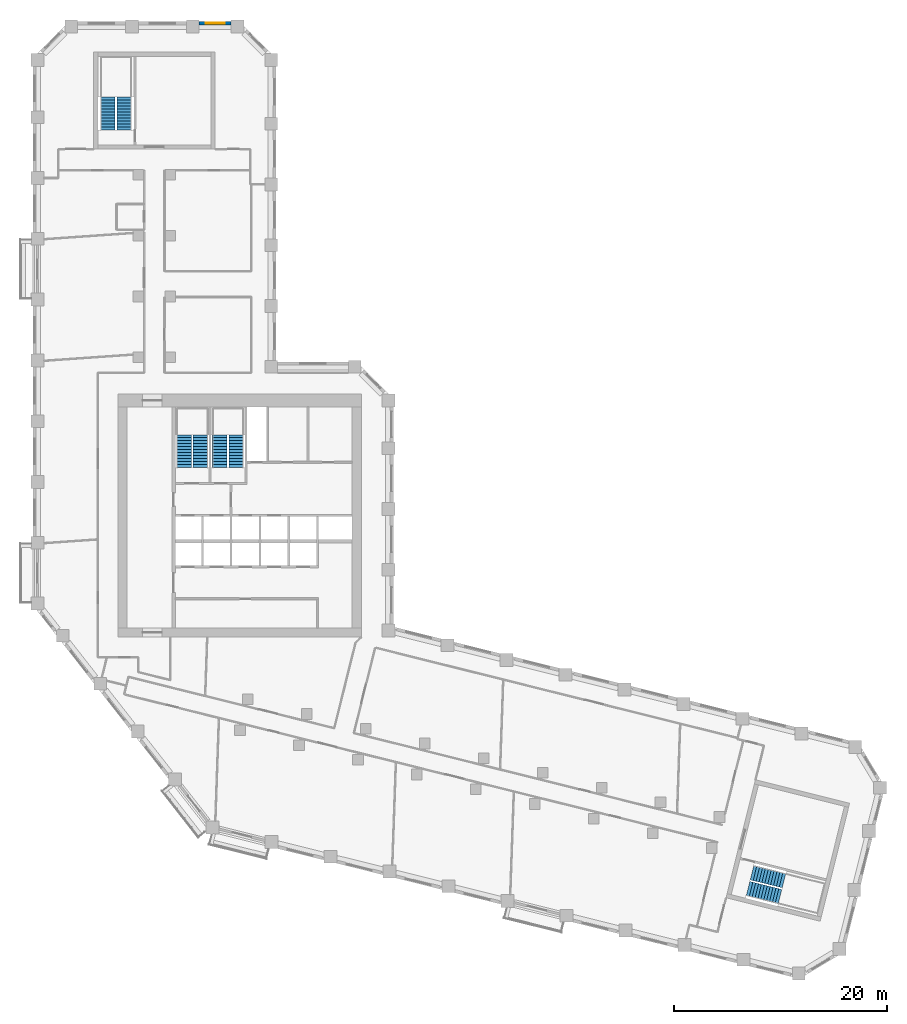
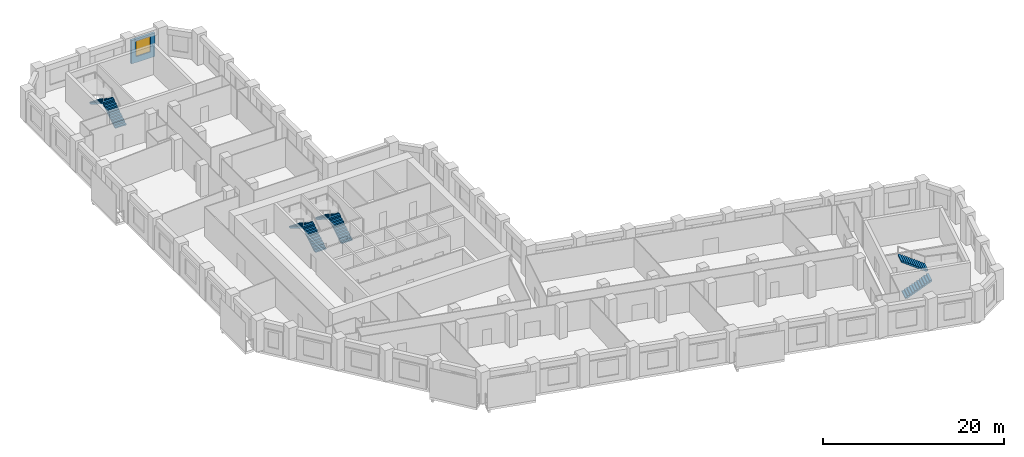
# One storey, part 9 of 10: 8 stair flights, 1 wall, 1 window, 1 opening, 4 elements without a shape of their own.
"""IFC4 building model written with IfcOpenShell, lengths in metres."""

import ifcopenshell
import ifcopenshell.guid

model = None  # the IFC model being written
_history = None  # IfcOwnerHistory: only IFC2X3 demands one
_inside = {}  # id of a spatial element -> (the spatial element, [elements in it])
_under = {}  # id of a project, library or spatial element -> (it, [spatial elements below it])
_declared = {}  # id of a project -> (the project, [libraries it declares])
_typed = {}  # id of a type object -> (the type object, [elements of that type])
_made_of = {}  # id of a material, layer set ... -> (it, [elements and type objects made of it])


def new_model(schema):
    """Start an empty IFC model of exactly this schema.

    Asked for "IFC4X3", IfcOpenShell would pick the latest addendum, in which some entities
    have other attributes; the version numbers below select the first issue.
    IFC2X3 requires an IfcOwnerHistory on every rooted entity: one is made here for all.
    """
    global model, _history
    if schema == "IFC4X3":
        model = ifcopenshell.file(schema_version=(4, 3, 0, 0))
    else:
        model = ifcopenshell.file(schema=schema)
    _inside.clear()
    _under.clear()
    _declared.clear()
    _typed.clear()
    _made_of.clear()
    _history = None
    if model.schema == "IFC2X3":
        org = make("IfcOrganization", Name="unknown")
        user = make(
            "IfcPersonAndOrganization",
            ThePerson=make("IfcPerson", FamilyName="unknown"),
            TheOrganization=org,
        )
        app = make(
            "IfcApplication",
            ApplicationDeveloper=org,
            Version="unknown",
            ApplicationFullName="unknown",
            ApplicationIdentifier="unknown",
        )
        _history = make(
            "IfcOwnerHistory",
            OwningUser=user,
            OwningApplication=app,
            ChangeAction="ADDED",
            CreationDate=0,
        )
    return model


def make(cls, **values):
    """One entity of the class cls with the attributes given. An attribute that is None is left unset."""
    return model.create_entity(
        cls, **{name: value for name, value in values.items() if value is not None}
    )


def rooted(cls, **values):
    """An entity with a GlobalId (a new one), such as an element, a storey or a relation."""
    return make(cls, GlobalId=ifcopenshell.guid.new(), OwnerHistory=_history, **values)


def si_unit(unit_type, name, prefix=None):
    """IfcSIUnit, for example si_unit("LENGTHUNIT", "METRE", prefix="MILLI")."""
    return make("IfcSIUnit", UnitType=unit_type, Prefix=prefix, Name=name)


def assignment(units):
    """IfcUnitAssignment: the units of a project."""
    return None if units is None else make("IfcUnitAssignment", Units=units)


def point(xyz):
    """IfcCartesianPoint."""
    return None if xyz is None else make("IfcCartesianPoint", Coordinates=xyz)


def direction(xyz):
    """IfcDirection."""
    return None if xyz is None else make("IfcDirection", DirectionRatios=xyz)


def frame(location, z_axis=None, x_axis=None):
    """IfcAxis2Placement3D, a coordinate frame: its origin and axes. An axis left out is left unset."""
    return make(
        "IfcAxis2Placement3D",
        Location=point(location),
        Axis=direction(z_axis),
        RefDirection=direction(x_axis),
    )


def frame_2d(location, x_axis=None):
    """IfcAxis2Placement2D, a coordinate frame in the plane: its origin and x axis."""
    return make(
        "IfcAxis2Placement2D", Location=point(location), RefDirection=direction(x_axis)
    )


def origin():
    """The frame at (0, 0, 0) with its axes left unset."""
    return frame((0.0, 0.0, 0.0))


def place(relative_to, where):
    """IfcLocalPlacement: puts the frame where relative to a parent placement (None: the world)."""
    return make(
        "IfcLocalPlacement", PlacementRelTo=relative_to, RelativePlacement=where
    )


def context(
    kind, dimensions, precision=None, world=None, true_north=None, identifier=None
):
    """IfcGeometricRepresentationContext, for example the 3D "Model" context."""
    return make(
        "IfcGeometricRepresentationContext",
        ContextIdentifier=identifier,
        ContextType=kind,
        CoordinateSpaceDimension=dimensions,
        Precision=precision,
        WorldCoordinateSystem=world,
        TrueNorth=true_north,
    )


def subcontext(parent, identifier, kind, view, scale=None):
    """IfcGeometricRepresentationSubContext, for example "Body" below "Model"."""
    return make(
        "IfcGeometricRepresentationSubContext",
        ContextIdentifier=identifier,
        ContextType=kind,
        ParentContext=parent,
        TargetScale=scale,
        TargetView=view,
    )


def project(units=None, contexts=None):
    """IfcProject with its units and contexts."""
    return rooted(
        "IfcProject",
        Name="project",
        RepresentationContexts=contexts,
        UnitsInContext=assignment(units),
    )


def spatial(cls, under=None, at=None, **own):
    """A site, building, storey or space (cls), placed at a placement, below another one or the project."""
    s = rooted(cls, ObjectPlacement=at, **own)
    if under is not None:
        _under.setdefault(under.id(), (under, []))[1].append(s)
    return s


def polyline(points):
    """IfcPolyline through the points."""
    return make("IfcPolyline", Points=[point(p) for p in points])


def profile(cls, at=None, kind="AREA", **sizes):
    """A parametric profile (cls). Its sizes go by their IFC names, for example OverallWidth=200.0."""
    return make(cls, ProfileType=kind, Position=at, **sizes)


def rectangle(**sizes):
    """IfcRectangleProfileDef."""
    return profile("IfcRectangleProfileDef", **sizes)


def outline(outer, holes=None, kind="AREA"):
    """IfcArbitraryClosedProfileDef: a profile drawn as a closed curve; with holes, ...WithVoids."""
    if holes is None:
        return make("IfcArbitraryClosedProfileDef", ProfileType=kind, OuterCurve=outer)
    return make(
        "IfcArbitraryProfileDefWithVoids",
        ProfileType=kind,
        OuterCurve=outer,
        InnerCurves=holes,
    )


def extrude(swept, where, along, depth):
    """IfcExtrudedAreaSolid: the profile swept, set in the frame where, extruded along a direction by depth."""
    return make(
        "IfcExtrudedAreaSolid",
        SweptArea=swept,
        Position=where,
        ExtrudedDirection=direction(along),
        Depth=depth,
    )


def shape(context_of_items, identifier, shape_type, items):
    """IfcShapeRepresentation: the items that make up one representation, for example the "Body"."""
    return make(
        "IfcShapeRepresentation",
        ContextOfItems=context_of_items,
        RepresentationIdentifier=identifier,
        RepresentationType=shape_type,
        Items=items,
    )


def material(Name=None, Category=None):
    """IfcMaterial."""
    return make("IfcMaterial", Name=Name, Category=Category)


def layer(
    of_material, thickness, ventilated=None, Name=None, Category=None, Priority=None
):
    """IfcMaterialLayer: one layer of a wall or slab, of a material (None: an air gap)."""
    return make(
        "IfcMaterialLayer",
        Material=of_material,
        LayerThickness=thickness,
        IsVentilated=ventilated,
        Name=Name,
        Category=Category,
        Priority=Priority,
    )


def layer_set(layers, Name=None):
    """IfcMaterialLayerSet."""
    return make("IfcMaterialLayerSet", MaterialLayers=layers, LayerSetName=Name)


def made_of(thing, what):
    """Note that an element or type object is made of a material, layer set ...; save() writes the relation."""
    if what is not None:
        _made_of.setdefault(what.id(), (what, []))[1].append(thing)
    return thing


def type_object(cls, material=None, **own):
    """A type object (cls), such as IfcWallType, which elements share."""
    return made_of(rooted(cls, **own), material)


def element(
    cls,
    number,
    at=None,
    inside=None,
    cuts=None,
    type_object=None,
    material=None,
    context=None,
    identifier="Body",
    shape_type=None,
    held_by="IfcProductDefinitionShape",
    body=None,
    shapes=None,
    **own,
):
    """One element of the class cls, such as IfcWall. Its Tag is "e" and its number.

    at: its placement. inside: the storey or other place that contains it. cuts: it is an
    opening in that element (IfcRelVoidsElement). A single representation is given by context,
    identifier, shape_type and body (its items); several are given by shapes. held_by: the class
    of the entity that holds the representations. save() writes the other relations.
    """
    e = rooted(cls, Tag="e%d" % number, ObjectPlacement=at, **own)
    if body is not None:
        shapes = [shape(context, identifier, shape_type, body)]
    if shapes is not None:
        e.Representation = make(held_by, Representations=shapes)
    if inside is not None:
        _inside.setdefault(inside.id(), (inside, []))[1].append(e)
    if cuts is not None:
        rooted(
            "IfcRelVoidsElement", RelatingBuildingElement=cuts, RelatedOpeningElement=e
        )
    if type_object is not None:
        _typed.setdefault(type_object.id(), (type_object, []))[1].append(e)
    return made_of(e, material)


def fill(opening, filler):
    """IfcRelFillsElement: the door or window that sits in an opening."""
    return rooted(
        "IfcRelFillsElement",
        RelatingOpeningElement=opening,
        RelatedBuildingElement=filler,
    )


def aggregate(whole, parts):
    """IfcRelAggregates: a whole, such as a stair, and the parts it consists of."""
    return rooted("IfcRelAggregates", RelatingObject=whole, RelatedObjects=parts)


def save(model, path):
    """Write the relations noted so far, then the file.

    IfcRelAggregates (storeys below a building ...), IfcRelContainedInSpatialStructure (elements
    in a storey), IfcRelDefinesByType, IfcRelAssociatesMaterial and IfcRelDeclares: one each for
    every whole, place, type object, material and project.
    """
    for whole, parts in _under.values():
        aggregate(whole, parts)
    for where, things in _inside.values():
        rooted(
            "IfcRelContainedInSpatialStructure",
            RelatedElements=things,
            RelatingStructure=where,
        )
    for kind, things in _typed.values():
        rooted("IfcRelDefinesByType", RelatedObjects=things, RelatingType=kind)
    for what, things in _made_of.values():
        rooted("IfcRelAssociatesMaterial", RelatedObjects=things, RelatingMaterial=what)
    for by, libraries in _declared.values():
        rooted("IfcRelDeclares", RelatingContext=by, RelatedDefinitions=libraries)
    model.write(path)


model = new_model("IFC4")

# Units and contexts
model_context = context("Model", 3, precision=1e-05, world=origin(), true_north=direction((0.0, 1.0)))
body_context = subcontext(model_context, "Body", "Model", "MODEL_VIEW")
ifc_project = project(units=[si_unit("LENGTHUNIT", "METRE"), si_unit("AREAUNIT", "SQUARE_METRE"), si_unit("VOLUMEUNIT", "CUBIC_METRE"), si_unit("PLANEANGLEUNIT", "RADIAN"), si_unit("MASSUNIT", "GRAM", prefix="KILO")], contexts=[model_context])

# Site, building, storey
site_placement = place(None, origin())
site = spatial("IfcSite", under=ifc_project, at=site_placement, CompositionType="ELEMENT")
building_placement = place(site_placement, origin())
building = spatial("IfcBuilding", under=site, at=building_placement, Name="Meshkara Civic Tower", CompositionType="ELEMENT")
storey_placement = place(building_placement, frame((0.0, 0.0, 165.60009765625)))
storey = spatial("IfcBuildingStorey", under=building, at=storey_placement, Name="L37", CompositionType="ELEMENT", Elevation=165.60009765625)

# Wall, opening, window
ifc_material_1 = material(Name="Insulated infill panel with bronze anodised aluminium cladding", Category="aluminium")
ifc_layer = layer(ifc_material_1, 0.300048828125)
ifc_layer_set = layer_set([ifc_layer], Name="EXTERNAL INFILL WALL 300")
wall_type = type_object("IfcWallType", Name="EXTERNAL INFILL WALL 300", PredefinedType="SOLIDWALL", material=ifc_layer_set)
wall_placement = place(storey_placement, frame((18.593994140625, 71.669921875, 0.0), z_axis=(0.0, 0.0, 1.0), x_axis=(-1.0, 0.0, 0.0)))
wall = element("IfcWall", 1, at=wall_placement, inside=storey, type_object=wall_type, Name="External wall", PredefinedType="SOLIDWALL", context=body_context, shape_type="SweptSolid", body=[
    extrude(rectangle(XDim=2.988037109375, YDim=0.300048828125, at=frame_2d((1.494140625, 0.0))), origin(), (0.0, 0.0, 1.0), 3.14990234375),
])
opening_placement = place(wall_placement, frame((0.593994140625, 0.0, 0.800048828125)))
opening = element("IfcOpeningElement", 2, at=opening_placement, cuts=wall, Name="Opening W9", PredefinedType="OPENING", context=body_context, shape_type="SweptSolid", body=[
    extrude(rectangle(XDim=1.800048828125, YDim=2.10009765625, at=frame_2d((0.89990234375, 1.050048828125))), frame((0.0, 0.159912109375, 0.0), z_axis=(0.0, -1.0, 0.0), x_axis=(1.0, 0.0, 0.0)), (0.0, 0.0, 1.0), 0.320068359375),
])
ifc_material_2 = material(Name="Tinted double glazing", Category="glass")
window_type = type_object("IfcWindowType", Name="WINDOW 1800x2100", PartitioningType="DOUBLE_PANEL_VERTICAL", PredefinedType="WINDOW", material=ifc_material_2)
window_placement = place(opening_placement, origin())
window = element("IfcWindow", 3, at=window_placement, inside=storey, type_object=window_type, Name="Window", OverallHeight=2.10009765625, OverallWidth=1.800048828125, PartitioningType="DOUBLE_PANEL_VERTICAL", PredefinedType="WINDOW", context=body_context, shape_type="SweptSolid", body=[
    extrude(rectangle(XDim=1.800048828125, YDim=2.10009765625, at=frame_2d((0.89990234375, 1.050048828125))), frame((0.0, 0.030029296875, 0.0), z_axis=(0.0, -1.0, 0.0), x_axis=(1.0, 0.0, 0.0)), (0.0, 0.0, 1.0), 0.06005859375),
])
fill(opening, window)

# Stair, stair flights
ifc_material_3 = material(Name="Precast concrete C40/50", Category="concrete")
stair_type = type_object("IfcStairType", Name="Exit stair half-turn 24 risers precast", PredefinedType="HALF_TURN_STAIR", material=ifc_material_3)
stair_1_placement = place(storey_placement, origin())
stair_1 = element("IfcStair", 4, at=stair_1_placement, inside=storey, type_object=stair_type, Name="L37 exit stair 1", PredefinedType="HALF_TURN_STAIR")
ifc_material_4 = material(Name="Precast concrete C40/50", Category="concrete")
stair_flight_type = type_object("IfcStairFlightType", Name="Exit stair flight 12 risers precast", PredefinedType="STRAIGHT", material=ifc_material_4)
stair_flight_1_placement = place(storey_placement, frame((15.72509765625, 30.0, 0.0), z_axis=(0.0, 0.0, 1.0), x_axis=(0.0, 1.0, 0.0)))
stair_flight_1 = element("IfcStairFlight", 5, at=stair_flight_1_placement, type_object=stair_flight_type, Name="ST1 flight 1", NumberOfRisers=12, NumberOfTreads=11, PredefinedType="STRAIGHT", RiserHeight=0.175, TreadLength=0.28, context=body_context, shape_type="SweptSolid", body=[
    extrude(outline(polyline([(0.0, 0.0), (0.0, 0.175048828125), (0.280029296875, 0.175048828125), (0.280029296875, 0.35009765625), (0.56005859375, 0.35009765625), (0.56005859375, 0.52490234375), (0.840087890625, 0.52490234375), (0.840087890625, 0.699951171875), (1.1201171875, 0.699951171875), (1.1201171875, 0.875), (1.39990234375, 0.875), (1.39990234375, 1.050048828125), (1.679931640625, 1.050048828125), (1.679931640625, 1.22509765625), (1.9599609375, 1.22509765625), (1.9599609375, 1.39990234375), (2.239990234375, 1.39990234375), (2.239990234375, 1.574951171875), (2.52001953125, 1.574951171875), (2.52001953125, 1.75), (2.800048828125, 1.75), (2.800048828125, 1.925048828125), (3.080078125, 1.925048828125), (3.080078125, 2.10009765625), (3.080078125, 1.748291015625), (0.28271484375, 0.0), (0.0, 0.0)])), frame((0.0, 0.699951171875, 0.0), z_axis=(0.0, -1.0, 0.0), x_axis=(1.0, 0.0, 0.0)), (0.0, 0.0, 1.0), 1.39990234375),
])
stair_flight_2_placement = place(storey_placement, frame((14.175048828125, 33.080078125, 2.099853515625), z_axis=(0.0, 0.0, 1.0), x_axis=(0.0, -1.0, 0.0)))
stair_flight_2 = element("IfcStairFlight", 6, at=stair_flight_2_placement, type_object=stair_flight_type, Name="ST1 flight 2", NumberOfRisers=12, NumberOfTreads=11, PredefinedType="STRAIGHT", RiserHeight=0.175, TreadLength=0.28, context=body_context, shape_type="SweptSolid", body=[
    extrude(outline(polyline([(0.0, 0.0), (0.0, 0.175048828125), (0.280029296875, 0.175048828125), (0.280029296875, 0.35009765625), (0.56005859375, 0.35009765625), (0.56005859375, 0.52490234375), (0.840087890625, 0.52490234375), (0.840087890625, 0.699951171875), (1.1201171875, 0.699951171875), (1.1201171875, 0.875), (1.39990234375, 0.875), (1.39990234375, 1.050048828125), (1.679931640625, 1.050048828125), (1.679931640625, 1.22509765625), (1.9599609375, 1.22509765625), (1.9599609375, 1.39990234375), (2.239990234375, 1.39990234375), (2.239990234375, 1.574951171875), (2.52001953125, 1.574951171875), (2.52001953125, 1.75), (2.800048828125, 1.75), (2.800048828125, 1.925048828125), (3.080078125, 1.925048828125), (3.080078125, 2.10009765625), (3.080078125, 1.748291015625), (0.28271484375, 0.0), (0.0, 0.0)])), frame((0.0, 0.699951171875, 0.0), z_axis=(0.0, -1.0, 0.0), x_axis=(1.0, 0.0, 0.0)), (0.0, 0.0, 1.0), 1.39990234375),
])
aggregate(stair_1, [stair_flight_1, stair_flight_2])

stair_2_placement = place(storey_placement, origin())
stair_2 = element("IfcStair", 7, at=stair_2_placement, inside=storey, type_object=stair_type, Name="L37 exit stair 2", PredefinedType="HALF_TURN_STAIR")
stair_flight_3_placement = place(storey_placement, frame((19.074951171875, 30.0, 0.0), z_axis=(0.0, 0.0, 1.0), x_axis=(0.0, 1.0, 0.0)))
stair_flight_3 = element("IfcStairFlight", 8, at=stair_flight_3_placement, type_object=stair_flight_type, Name="ST2 flight 1", NumberOfRisers=12, NumberOfTreads=11, PredefinedType="STRAIGHT", RiserHeight=0.175, TreadLength=0.28, context=body_context, shape_type="SweptSolid", body=[
    extrude(outline(polyline([(0.0, 0.0), (0.0, 0.175048828125), (0.280029296875, 0.175048828125), (0.280029296875, 0.35009765625), (0.56005859375, 0.35009765625), (0.56005859375, 0.52490234375), (0.840087890625, 0.52490234375), (0.840087890625, 0.699951171875), (1.1201171875, 0.699951171875), (1.1201171875, 0.875), (1.39990234375, 0.875), (1.39990234375, 1.050048828125), (1.679931640625, 1.050048828125), (1.679931640625, 1.22509765625), (1.9599609375, 1.22509765625), (1.9599609375, 1.39990234375), (2.239990234375, 1.39990234375), (2.239990234375, 1.574951171875), (2.52001953125, 1.574951171875), (2.52001953125, 1.75), (2.800048828125, 1.75), (2.800048828125, 1.925048828125), (3.080078125, 1.925048828125), (3.080078125, 2.10009765625), (3.080078125, 1.748291015625), (0.28271484375, 0.0), (0.0, 0.0)])), frame((0.0, 0.699951171875, 0.0), z_axis=(0.0, -1.0, 0.0), x_axis=(1.0, 0.0, 0.0)), (0.0, 0.0, 1.0), 1.39990234375),
])
stair_flight_4_placement = place(storey_placement, frame((17.52490234375, 33.080078125, 2.099853515625), z_axis=(0.0, 0.0, 1.0), x_axis=(0.0, -1.0, 0.0)))
stair_flight_4 = element("IfcStairFlight", 9, at=stair_flight_4_placement, type_object=stair_flight_type, Name="ST2 flight 2", NumberOfRisers=12, NumberOfTreads=11, PredefinedType="STRAIGHT", RiserHeight=0.175, TreadLength=0.28, context=body_context, shape_type="SweptSolid", body=[
    extrude(outline(polyline([(0.0, 0.0), (0.0, 0.175048828125), (0.280029296875, 0.175048828125), (0.280029296875, 0.35009765625), (0.56005859375, 0.35009765625), (0.56005859375, 0.52490234375), (0.840087890625, 0.52490234375), (0.840087890625, 0.699951171875), (1.1201171875, 0.699951171875), (1.1201171875, 0.875), (1.39990234375, 0.875), (1.39990234375, 1.050048828125), (1.679931640625, 1.050048828125), (1.679931640625, 1.22509765625), (1.9599609375, 1.22509765625), (1.9599609375, 1.39990234375), (2.239990234375, 1.39990234375), (2.239990234375, 1.574951171875), (2.52001953125, 1.574951171875), (2.52001953125, 1.75), (2.800048828125, 1.75), (2.800048828125, 1.925048828125), (3.080078125, 1.925048828125), (3.080078125, 2.10009765625), (3.080078125, 1.748291015625), (0.28271484375, 0.0), (0.0, 0.0)])), frame((0.0, 0.699951171875, 0.0), z_axis=(0.0, -1.0, 0.0), x_axis=(1.0, 0.0, 0.0)), (0.0, 0.0, 1.0), 1.39990234375),
])
aggregate(stair_2, [stair_flight_3, stair_flight_4])

stair_3_placement = place(storey_placement, origin())
stair_3 = element("IfcStair", 10, at=stair_3_placement, inside=storey, type_object=stair_type, Name="L37 exit stair A from L35", PredefinedType="HALF_TURN_STAIR")
stair_flight_5_placement = place(storey_placement, frame((8.574951171875, 61.669921875, 0.0), z_axis=(0.0, 0.0, 1.0), x_axis=(0.0, 1.0, 0.0)))
stair_flight_5 = element("IfcStairFlight", 11, at=stair_flight_5_placement, type_object=stair_flight_type, Name="ESA3 flight 1", NumberOfRisers=12, NumberOfTreads=11, PredefinedType="STRAIGHT", RiserHeight=0.175, TreadLength=0.28, context=body_context, shape_type="SweptSolid", body=[
    extrude(outline(polyline([(0.0, 0.0), (0.0, 0.175048828125), (0.280029296875, 0.175048828125), (0.280029296875, 0.35009765625), (0.56005859375, 0.35009765625), (0.56005859375, 0.52490234375), (0.840087890625, 0.52490234375), (0.840087890625, 0.699951171875), (1.1201171875, 0.699951171875), (1.1201171875, 0.875), (1.39990234375, 0.875), (1.39990234375, 1.050048828125), (1.679931640625, 1.050048828125), (1.679931640625, 1.22509765625), (1.9599609375, 1.22509765625), (1.9599609375, 1.39990234375), (2.239990234375, 1.39990234375), (2.239990234375, 1.574951171875), (2.52001953125, 1.574951171875), (2.52001953125, 1.75), (2.800048828125, 1.75), (2.800048828125, 1.925048828125), (3.080078125, 1.925048828125), (3.080078125, 2.10009765625), (3.080078125, 1.748291015625), (0.28271484375, 0.0), (0.0, 0.0)])), frame((0.0, 0.699951171875, 0.0), z_axis=(0.0, -1.0, 0.0), x_axis=(1.0, 0.0, 0.0)), (0.0, 0.0, 1.0), 1.39990234375),
])
stair_flight_6_placement = place(storey_placement, frame((7.02490234375, 64.75, 2.099853515625), z_axis=(0.0, 0.0, 1.0), x_axis=(0.0, -1.0, 0.0)))
stair_flight_6 = element("IfcStairFlight", 12, at=stair_flight_6_placement, type_object=stair_flight_type, Name="ESA3 flight 2", NumberOfRisers=12, NumberOfTreads=11, PredefinedType="STRAIGHT", RiserHeight=0.175, TreadLength=0.28, context=body_context, shape_type="SweptSolid", body=[
    extrude(outline(polyline([(0.0, 0.0), (0.0, 0.175048828125), (0.280029296875, 0.175048828125), (0.280029296875, 0.35009765625), (0.56005859375, 0.35009765625), (0.56005859375, 0.52490234375), (0.840087890625, 0.52490234375), (0.840087890625, 0.699951171875), (1.1201171875, 0.699951171875), (1.1201171875, 0.875), (1.39990234375, 0.875), (1.39990234375, 1.050048828125), (1.679931640625, 1.050048828125), (1.679931640625, 1.22509765625), (1.9599609375, 1.22509765625), (1.9599609375, 1.39990234375), (2.239990234375, 1.39990234375), (2.239990234375, 1.574951171875), (2.52001953125, 1.574951171875), (2.52001953125, 1.75), (2.800048828125, 1.75), (2.800048828125, 1.925048828125), (3.080078125, 1.925048828125), (3.080078125, 2.10009765625), (3.080078125, 1.748291015625), (0.28271484375, 0.0), (0.0, 0.0)])), frame((0.0, 0.699951171875, 0.0), z_axis=(0.0, -1.0, 0.0), x_axis=(1.0, 0.0, 0.0)), (0.0, 0.0, 1.0), 1.39990234375),
])
aggregate(stair_3, [stair_flight_5, stair_flight_6])

stair_4_placement = place(storey_placement, origin())
stair_4 = element("IfcStair", 13, at=stair_4_placement, inside=storey, type_object=stair_type, Name="L37 exit stair B from L35", PredefinedType="HALF_TURN_STAIR")
stair_flight_7_placement = place(storey_placement, frame((67.068115234375, -9.4814453125, 0.0), z_axis=(0.0, 0.0, 1.0), x_axis=(0.9703185901, -0.241830175344, 0.0)))
stair_flight_7 = element("IfcStairFlight", 14, at=stair_flight_7_placement, type_object=stair_flight_type, Name="ESB3 flight 1", NumberOfRisers=12, NumberOfTreads=11, PredefinedType="STRAIGHT", RiserHeight=0.175, TreadLength=0.28, context=body_context, shape_type="SweptSolid", body=[
    extrude(outline(polyline([(0.0, 0.0), (0.0, 0.175048828125), (0.280029296875, 0.175048828125), (0.280029296875, 0.35009765625), (0.56005859375, 0.35009765625), (0.56005859375, 0.52490234375), (0.840087890625, 0.52490234375), (0.840087890625, 0.699951171875), (1.1201171875, 0.699951171875), (1.1201171875, 0.875), (1.39990234375, 0.875), (1.39990234375, 1.050048828125), (1.679931640625, 1.050048828125), (1.679931640625, 1.22509765625), (1.9599609375, 1.22509765625), (1.9599609375, 1.39990234375), (2.239990234375, 1.39990234375), (2.239990234375, 1.574951171875), (2.52001953125, 1.574951171875), (2.52001953125, 1.75), (2.800048828125, 1.75), (2.800048828125, 1.925048828125), (3.080078125, 1.925048828125), (3.080078125, 2.10009765625), (3.080078125, 1.748291015625), (0.28271484375, 0.0), (0.0, 0.0)])), frame((0.0, 0.699951171875, 0.0), z_axis=(0.0, -1.0, 0.0), x_axis=(1.0, 0.0, 0.0)), (0.0, 0.0, 1.0), 1.39990234375),
])
stair_flight_8_placement = place(storey_placement, frame((70.431396484375, -8.722412109375, 2.099853515625), z_axis=(0.0, 0.0, 1.0), x_axis=(-0.9703185901, 0.241830175344, 0.0)))
stair_flight_8 = element("IfcStairFlight", 15, at=stair_flight_8_placement, type_object=stair_flight_type, Name="ESB3 flight 2", NumberOfRisers=12, NumberOfTreads=11, PredefinedType="STRAIGHT", RiserHeight=0.175, TreadLength=0.28, context=body_context, shape_type="SweptSolid", body=[
    extrude(outline(polyline([(0.0, 0.0), (0.0, 0.175048828125), (0.280029296875, 0.175048828125), (0.280029296875, 0.35009765625), (0.56005859375, 0.35009765625), (0.56005859375, 0.52490234375), (0.840087890625, 0.52490234375), (0.840087890625, 0.699951171875), (1.1201171875, 0.699951171875), (1.1201171875, 0.875), (1.39990234375, 0.875), (1.39990234375, 1.050048828125), (1.679931640625, 1.050048828125), (1.679931640625, 1.22509765625), (1.9599609375, 1.22509765625), (1.9599609375, 1.39990234375), (2.239990234375, 1.39990234375), (2.239990234375, 1.574951171875), (2.52001953125, 1.574951171875), (2.52001953125, 1.75), (2.800048828125, 1.75), (2.800048828125, 1.925048828125), (3.080078125, 1.925048828125), (3.080078125, 2.10009765625), (3.080078125, 1.748291015625), (0.28271484375, 0.0), (0.0, 0.0)])), frame((0.0, 0.699951171875, 0.0), z_axis=(0.0, -1.0, 0.0), x_axis=(1.0, 0.0, 0.0)), (0.0, 0.0, 1.0), 1.39990234375),
])
aggregate(stair_4, [stair_flight_7, stair_flight_8])

save(model, "model.ifc")
